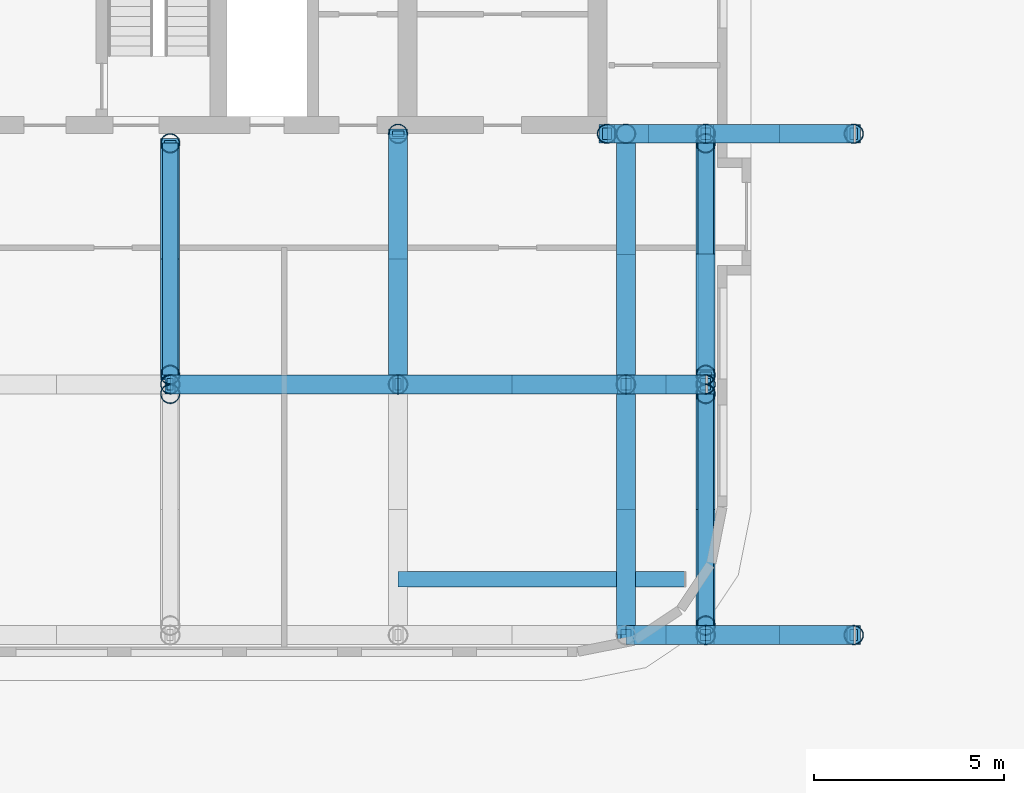
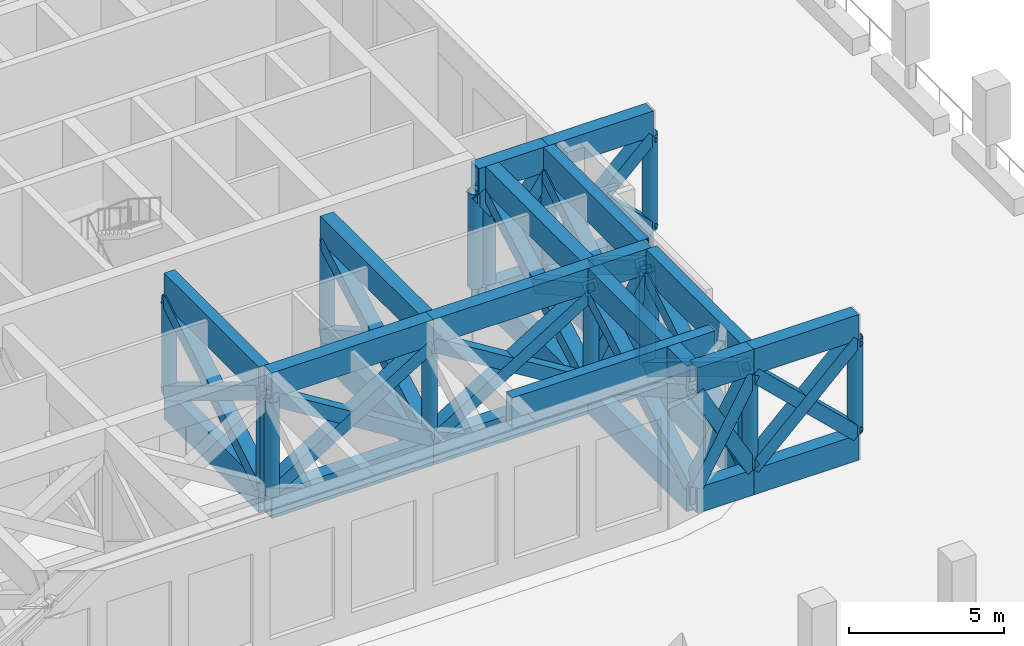
# One storey, part 3 of 20: 44 members, 27 beams.
"""IFC4 building model written with IfcOpenShell, lengths in metres."""

import ifcopenshell
import ifcopenshell.guid

model = None  # the IFC model being written
_history = None  # IfcOwnerHistory: only IFC2X3 demands one
_inside = {}  # id of a spatial element -> (the spatial element, [elements in it])
_under = {}  # id of a project, library or spatial element -> (it, [spatial elements below it])
_declared = {}  # id of a project -> (the project, [libraries it declares])
_typed = {}  # id of a type object -> (the type object, [elements of that type])
_made_of = {}  # id of a material, layer set ... -> (it, [elements and type objects made of it])


def new_model(schema):
    """Start an empty IFC model of exactly this schema.

    Asked for "IFC4X3", IfcOpenShell would pick the latest addendum, in which some entities
    have other attributes; the version numbers below select the first issue.
    IFC2X3 requires an IfcOwnerHistory on every rooted entity: one is made here for all.
    """
    global model, _history
    if schema == "IFC4X3":
        model = ifcopenshell.file(schema_version=(4, 3, 0, 0))
    else:
        model = ifcopenshell.file(schema=schema)
    _inside.clear()
    _under.clear()
    _declared.clear()
    _typed.clear()
    _made_of.clear()
    _history = None
    if model.schema == "IFC2X3":
        org = make("IfcOrganization", Name="unknown")
        user = make(
            "IfcPersonAndOrganization",
            ThePerson=make("IfcPerson", FamilyName="unknown"),
            TheOrganization=org,
        )
        app = make(
            "IfcApplication",
            ApplicationDeveloper=org,
            Version="unknown",
            ApplicationFullName="unknown",
            ApplicationIdentifier="unknown",
        )
        _history = make(
            "IfcOwnerHistory",
            OwningUser=user,
            OwningApplication=app,
            ChangeAction="ADDED",
            CreationDate=0,
        )
    return model


def make(cls, **values):
    """One entity of the class cls with the attributes given. An attribute that is None is left unset."""
    return model.create_entity(
        cls, **{name: value for name, value in values.items() if value is not None}
    )


def rooted(cls, **values):
    """An entity with a GlobalId (a new one), such as an element, a storey or a relation."""
    return make(cls, GlobalId=ifcopenshell.guid.new(), OwnerHistory=_history, **values)


def si_unit(unit_type, name, prefix=None):
    """IfcSIUnit, for example si_unit("LENGTHUNIT", "METRE", prefix="MILLI")."""
    return make("IfcSIUnit", UnitType=unit_type, Prefix=prefix, Name=name)


def assignment(units):
    """IfcUnitAssignment: the units of a project."""
    return None if units is None else make("IfcUnitAssignment", Units=units)


def point(xyz):
    """IfcCartesianPoint."""
    return None if xyz is None else make("IfcCartesianPoint", Coordinates=xyz)


def direction(xyz):
    """IfcDirection."""
    return None if xyz is None else make("IfcDirection", DirectionRatios=xyz)


def frame(location, z_axis=None, x_axis=None):
    """IfcAxis2Placement3D, a coordinate frame: its origin and axes. An axis left out is left unset."""
    return make(
        "IfcAxis2Placement3D",
        Location=point(location),
        Axis=direction(z_axis),
        RefDirection=direction(x_axis),
    )


def frame_2d(location, x_axis=None):
    """IfcAxis2Placement2D, a coordinate frame in the plane: its origin and x axis."""
    return make(
        "IfcAxis2Placement2D", Location=point(location), RefDirection=direction(x_axis)
    )


def origin():
    """The frame at (0, 0, 0) with its axes left unset."""
    return frame((0.0, 0.0, 0.0))


def origin_2d():
    """The frame at (0, 0) in the plane with its x axis left unset."""
    return frame_2d((0.0, 0.0))


def place(relative_to, where):
    """IfcLocalPlacement: puts the frame where relative to a parent placement (None: the world)."""
    return make(
        "IfcLocalPlacement", PlacementRelTo=relative_to, RelativePlacement=where
    )


def context(
    kind, dimensions, precision=None, world=None, true_north=None, identifier=None
):
    """IfcGeometricRepresentationContext, for example the 3D "Model" context."""
    return make(
        "IfcGeometricRepresentationContext",
        ContextIdentifier=identifier,
        ContextType=kind,
        CoordinateSpaceDimension=dimensions,
        Precision=precision,
        WorldCoordinateSystem=world,
        TrueNorth=true_north,
    )


def subcontext(parent, identifier, kind, view, scale=None):
    """IfcGeometricRepresentationSubContext, for example "Body" below "Model"."""
    return make(
        "IfcGeometricRepresentationSubContext",
        ContextIdentifier=identifier,
        ContextType=kind,
        ParentContext=parent,
        TargetScale=scale,
        TargetView=view,
    )


def project(units=None, contexts=None):
    """IfcProject with its units and contexts."""
    return rooted(
        "IfcProject",
        Name="project",
        RepresentationContexts=contexts,
        UnitsInContext=assignment(units),
    )


def spatial(cls, under=None, at=None, **own):
    """A site, building, storey or space (cls), placed at a placement, below another one or the project."""
    s = rooted(cls, ObjectPlacement=at, **own)
    if under is not None:
        _under.setdefault(under.id(), (under, []))[1].append(s)
    return s


def profile(cls, at=None, kind="AREA", **sizes):
    """A parametric profile (cls). Its sizes go by their IFC names, for example OverallWidth=200.0."""
    return make(cls, ProfileType=kind, Position=at, **sizes)


def hollow_rectangle(**sizes):
    """IfcRectangleHollowProfileDef."""
    return profile("IfcRectangleHollowProfileDef", **sizes)


def hollow_circle(**sizes):
    """IfcCircleHollowProfileDef."""
    return profile("IfcCircleHollowProfileDef", **sizes)


def extrude(swept, where, along, depth):
    """IfcExtrudedAreaSolid: the profile swept, set in the frame where, extruded along a direction by depth."""
    return make(
        "IfcExtrudedAreaSolid",
        SweptArea=swept,
        Position=where,
        ExtrudedDirection=direction(along),
        Depth=depth,
    )


def shape(context_of_items, identifier, shape_type, items):
    """IfcShapeRepresentation: the items that make up one representation, for example the "Body"."""
    return make(
        "IfcShapeRepresentation",
        ContextOfItems=context_of_items,
        RepresentationIdentifier=identifier,
        RepresentationType=shape_type,
        Items=items,
    )


def material(Name=None, Category=None):
    """IfcMaterial."""
    return make("IfcMaterial", Name=Name, Category=Category)


def material_profile(
    of_material, cross_section, Name=None, Category=None, Priority=None
):
    """IfcMaterialProfile: a cross section and its material."""
    return make(
        "IfcMaterialProfile",
        Name=Name,
        Material=of_material,
        Profile=cross_section,
        Priority=Priority,
        Category=Category,
    )


def profile_set(profiles, Name=None, composite=None):
    """IfcMaterialProfileSet."""
    return make(
        "IfcMaterialProfileSet",
        Name=Name,
        MaterialProfiles=profiles,
        CompositeProfile=composite,
    )


def made_of(thing, what):
    """Note that an element or type object is made of a material, layer set ...; save() writes the relation."""
    if what is not None:
        _made_of.setdefault(what.id(), (what, []))[1].append(thing)
    return thing


def type_object(cls, material=None, **own):
    """A type object (cls), such as IfcWallType, which elements share."""
    return made_of(rooted(cls, **own), material)


def element(
    cls,
    number,
    at=None,
    inside=None,
    cuts=None,
    type_object=None,
    material=None,
    context=None,
    identifier="Body",
    shape_type=None,
    held_by="IfcProductDefinitionShape",
    body=None,
    shapes=None,
    **own,
):
    """One element of the class cls, such as IfcWall. Its Tag is "e" and its number.

    at: its placement. inside: the storey or other place that contains it. cuts: it is an
    opening in that element (IfcRelVoidsElement). A single representation is given by context,
    identifier, shape_type and body (its items); several are given by shapes. held_by: the class
    of the entity that holds the representations. save() writes the other relations.
    """
    e = rooted(cls, Tag="e%d" % number, ObjectPlacement=at, **own)
    if body is not None:
        shapes = [shape(context, identifier, shape_type, body)]
    if shapes is not None:
        e.Representation = make(held_by, Representations=shapes)
    if inside is not None:
        _inside.setdefault(inside.id(), (inside, []))[1].append(e)
    if cuts is not None:
        rooted(
            "IfcRelVoidsElement", RelatingBuildingElement=cuts, RelatedOpeningElement=e
        )
    if type_object is not None:
        _typed.setdefault(type_object.id(), (type_object, []))[1].append(e)
    return made_of(e, material)


def aggregate(whole, parts):
    """IfcRelAggregates: a whole, such as a stair, and the parts it consists of."""
    return rooted("IfcRelAggregates", RelatingObject=whole, RelatedObjects=parts)


def save(model, path):
    """Write the relations noted so far, then the file.

    IfcRelAggregates (storeys below a building ...), IfcRelContainedInSpatialStructure (elements
    in a storey), IfcRelDefinesByType, IfcRelAssociatesMaterial and IfcRelDeclares: one each for
    every whole, place, type object, material and project.
    """
    for whole, parts in _under.values():
        aggregate(whole, parts)
    for where, things in _inside.values():
        rooted(
            "IfcRelContainedInSpatialStructure",
            RelatedElements=things,
            RelatingStructure=where,
        )
    for kind, things in _typed.values():
        rooted("IfcRelDefinesByType", RelatedObjects=things, RelatingType=kind)
    for what, things in _made_of.values():
        rooted("IfcRelAssociatesMaterial", RelatedObjects=things, RelatingMaterial=what)
    for by, libraries in _declared.values():
        rooted("IfcRelDeclares", RelatingContext=by, RelatedDefinitions=libraries)
    model.write(path)


model = new_model("IFC4")

# Units and contexts
model_context = context("Model", 3, precision=1e-05, world=origin(), true_north=direction((0.0, 1.0)))
body_context = subcontext(model_context, "Body", "Model", "MODEL_VIEW")
ifc_project = project(units=[si_unit("LENGTHUNIT", "METRE"), si_unit("AREAUNIT", "SQUARE_METRE"), si_unit("VOLUMEUNIT", "CUBIC_METRE"), si_unit("PLANEANGLEUNIT", "RADIAN"), si_unit("MASSUNIT", "GRAM", prefix="KILO")], contexts=[model_context])

# Site, building, storey
site_placement = place(None, origin())
site = spatial("IfcSite", under=ifc_project, at=site_placement, CompositionType="ELEMENT")
building_placement = place(site_placement, origin())
building = spatial("IfcBuilding", under=site, at=building_placement, Name="Torana Hotel and Residences", CompositionType="ELEMENT")
storey_placement = place(building_placement, frame((0.0, 0.0, 18.0)))
storey = spatial("IfcBuildingStorey", under=building, at=storey_placement, Name="L03", CompositionType="ELEMENT", Elevation=18.0)

# Beams
ifc_material_1 = material(Name="Steel S355", Category="steel")
ifc_material_profile_1 = material_profile(ifc_material_1, hollow_rectangle(XDim=0.5, YDim=1.0, WallThickness=0.050048828125, at=origin_2d()), Name="BOX 1000x500x50")
ifc_profile_set_1 = profile_set([ifc_material_profile_1], Name="Steel S355")
beam_type_1 = type_object("IfcBeamType", Name="STEEL CHORD BOX 1000x500x50", PredefinedType="BEAM", material=ifc_profile_set_1)
for number, where, z_axis, x_axis, name in (
    (1, (30.0, -28.199951171875, 0.5), (1.0, 0.0, 0.0), (0.0, 1.0, 0.0), "Transfer chord L03"),
    (2, (30.0, -28.199951171875, 5.219970703125), (1.0, 0.0, 0.0), (0.0, 1.0, 0.0), "Transfer chord L03"),
):
    element("IfcBeam", number, at=place(storey_placement, frame(where, z_axis=z_axis, x_axis=x_axis)), inside=storey, type_object=beam_type_1, Name=name, PredefinedType="BEAM", context=body_context, shape_type="SweptSolid", body=[
        extrude(hollow_rectangle(XDim=0.5, YDim=1.0, WallThickness=0.050048828125, at=origin_2d()), origin(), (0.0, 0.0, 1.0), 2.10009765625),
    ])
for number, where, z_axis, x_axis, name in (
    (3, (32.10009765625, -28.199951171875, 0.5), (1.0, 0.0, 0.0), (0.0, 1.0, 0.0), "Transfer chord L03"),
    (4, (32.10009765625, -28.199951171875, 5.219970703125), (1.0, 0.0, 0.0), (0.0, 1.0, 0.0), "Transfer chord L03"),
):
    element("IfcBeam", number, at=place(storey_placement, frame(where, z_axis=z_axis, x_axis=x_axis)), inside=storey, type_object=beam_type_1, Name=name, PredefinedType="BEAM", context=body_context, shape_type="SweptSolid", body=[
        extrude(hollow_rectangle(XDim=0.5, YDim=1.0, WallThickness=0.050048828125, at=origin_2d()), origin(), (0.0, 0.0, 1.0), 3.89990234375),
    ])
for number, where, z_axis, x_axis, name in (
    (5, (18.0, -21.60009765625, 0.5), (1.0, 0.0, 0.0), (0.0, 1.0, 0.0), "Transfer chord L03"),
    (6, (18.0, -21.60009765625, 5.219970703125), (1.0, 0.0, 0.0), (0.0, 1.0, 0.0), "Transfer chord L03"),
    (7, (24.0, -21.60009765625, 0.5), (1.0, 0.0, 0.0), (0.0, 1.0, 0.0), "Transfer chord L03"),
    (8, (24.0, -21.60009765625, 5.219970703125), (1.0, 0.0, 0.0), (0.0, 1.0, 0.0), "Transfer chord L03"),
):
    element("IfcBeam", number, at=place(storey_placement, frame(where, z_axis=z_axis, x_axis=x_axis)), inside=storey, type_object=beam_type_1, Name=name, PredefinedType="BEAM", context=body_context, shape_type="SweptSolid", body=[
        extrude(hollow_rectangle(XDim=0.5, YDim=1.0, WallThickness=0.050048828125, at=origin_2d()), origin(), (0.0, 0.0, 1.0), 6.0),
    ])
for number, where, z_axis, x_axis, name in (
    (9, (30.0, -21.60009765625, 0.5), (1.0, 0.0, 0.0), (0.0, 1.0, 0.0), "Transfer chord L03"),
    (10, (30.0, -21.60009765625, 5.219970703125), (1.0, 0.0, 0.0), (0.0, 1.0, 0.0), "Transfer chord L03"),
):
    element("IfcBeam", number, at=place(storey_placement, frame(where, z_axis=z_axis, x_axis=x_axis)), inside=storey, type_object=beam_type_1, Name=name, PredefinedType="BEAM", context=body_context, shape_type="SweptSolid", body=[
        extrude(hollow_rectangle(XDim=0.5, YDim=1.0, WallThickness=0.050048828125, at=origin_2d()), origin(), (0.0, 0.0, 1.0), 2.10009765625),
    ])
for number, where, z_axis, x_axis, name in (
    (11, (29.5, -15.0, 0.5), (1.0, 0.0, 0.0), (0.0, 1.0, 0.0), "Transfer chord L03"),
    (12, (29.5, -15.0, 5.219970703125), (1.0, 0.0, 0.0), (0.0, 1.0, 0.0), "Transfer chord L03"),
):
    element("IfcBeam", number, at=place(storey_placement, frame(where, z_axis=z_axis, x_axis=x_axis)), inside=storey, type_object=beam_type_1, Name=name, PredefinedType="BEAM", context=body_context, shape_type="SweptSolid", body=[
        extrude(hollow_rectangle(XDim=0.5, YDim=1.0, WallThickness=0.050048828125, at=origin_2d()), origin(), (0.0, 0.0, 1.0), 2.60009765625),
    ])
for number, where, z_axis, x_axis, name in (
    (13, (32.10009765625, -15.0, 0.5), (1.0, 0.0, 0.0), (0.0, 1.0, 0.0), "Transfer chord L03"),
    (14, (32.10009765625, -15.0, 5.219970703125), (1.0, 0.0, 0.0), (0.0, 1.0, 0.0), "Transfer chord L03"),
):
    element("IfcBeam", number, at=place(storey_placement, frame(where, z_axis=z_axis, x_axis=x_axis)), inside=storey, type_object=beam_type_1, Name=name, PredefinedType="BEAM", context=body_context, shape_type="SweptSolid", body=[
        extrude(hollow_rectangle(XDim=0.5, YDim=1.0, WallThickness=0.050048828125, at=origin_2d()), origin(), (0.0, 0.0, 1.0), 3.89990234375),
    ])
for number, where, z_axis, x_axis, name in (
    (15, (24.0, -21.60009765625, 0.5), (0.0, 1.0, 0.0), (-1.0, 0.0, 0.0), "Transfer chord L03"),
    (16, (24.0, -21.60009765625, 5.219970703125), (0.0, 1.0, 0.0), (-1.0, 0.0, 0.0), "Transfer chord L03"),
):
    element("IfcBeam", number, at=place(storey_placement, frame(where, z_axis=z_axis, x_axis=x_axis)), inside=storey, type_object=beam_type_1, Name=name, PredefinedType="BEAM", context=body_context, shape_type="SweptSolid", body=[
        extrude(hollow_rectangle(XDim=0.5, YDim=1.0, WallThickness=0.050048828125, at=origin_2d()), origin(), (0.0, 0.0, 1.0), 6.60009765625),
    ])
for number, where, z_axis, x_axis, name in (
    (17, (30.0, -28.199951171875, 0.5), (0.0, 1.0, 0.0), (-1.0, 0.0, 0.0), "Transfer chord L03"),
    (18, (30.0, -28.199951171875, 5.219970703125), (0.0, 1.0, 0.0), (-1.0, 0.0, 0.0), "Transfer chord L03"),
):
    element("IfcBeam", number, at=place(storey_placement, frame(where, z_axis=z_axis, x_axis=x_axis)), inside=storey, type_object=beam_type_1, Name=name, PredefinedType="BEAM", context=body_context, shape_type="SweptSolid", body=[
        extrude(hollow_rectangle(XDim=0.5, YDim=1.0, WallThickness=0.050048828125, at=origin_2d()), origin(), (0.0, 0.0, 1.0), 6.599853515625),
    ])
for number, where, z_axis, x_axis, name in (
    (19, (30.0, -21.60009765625, 0.5), (0.0, 1.0, 0.0), (-1.0, 0.0, 0.0), "Transfer chord L03"),
    (20, (30.0, -21.60009765625, 5.219970703125), (0.0, 1.0, 0.0), (-1.0, 0.0, 0.0), "Transfer chord L03"),
):
    element("IfcBeam", number, at=place(storey_placement, frame(where, z_axis=z_axis, x_axis=x_axis)), inside=storey, type_object=beam_type_1, Name=name, PredefinedType="BEAM", context=body_context, shape_type="SweptSolid", body=[
        extrude(hollow_rectangle(XDim=0.5, YDim=1.0, WallThickness=0.050048828125, at=origin_2d()), origin(), (0.0, 0.0, 1.0), 6.60009765625),
    ])
ifc_material_2 = material(Name="Steel S355", Category="steel")
ifc_material_profile_2 = material_profile(ifc_material_2, hollow_rectangle(XDim=0.39990234375, YDim=1.199951171875, WallThickness=0.0400390625, at=origin_2d()), Name="BOX 1200x400x40")
ifc_profile_set_2 = profile_set([ifc_material_profile_2], Name="Steel S355")
beam_type_2 = type_object("IfcBeamType", Name="STEEL CHORD BOX 1200x400x40", PredefinedType="BEAM", material=ifc_profile_set_2)
for number, where, z_axis, x_axis, name in (
    (21, (18.0, -21.35009765625, 0.60009765625), (0.0, 1.0, 0.0), (-1.0, 0.0, 0.0), "Transfer chord L03"),
    (22, (18.0, -21.35009765625, 5.1201171875), (0.0, 1.0, 0.0), (-1.0, 0.0, 0.0), "Transfer chord L03"),
):
    element("IfcBeam", number, at=place(storey_placement, frame(where, z_axis=z_axis, x_axis=x_axis)), inside=storey, type_object=beam_type_2, Name=name, PredefinedType="BEAM", context=body_context, shape_type="SweptSolid", body=[
        extrude(hollow_rectangle(XDim=0.39990234375, YDim=1.199951171875, WallThickness=0.0400390625, at=origin_2d()), origin(), (0.0, 0.0, 1.0), 6.10009765625),
    ])
for number, where, z_axis, x_axis, name in (
    (23, (32.10009765625, -27.949951171875, 0.60009765625), (0.0, 1.0, 0.0), (-1.0, 0.0, 0.0), "Transfer chord L03"),
    (24, (32.10009765625, -27.949951171875, 5.1201171875), (0.0, 1.0, 0.0), (-1.0, 0.0, 0.0), "Transfer chord L03"),
):
    element("IfcBeam", number, at=place(storey_placement, frame(where, z_axis=z_axis, x_axis=x_axis)), inside=storey, type_object=beam_type_2, Name=name, PredefinedType="BEAM", context=body_context, shape_type="SweptSolid", body=[
        extrude(hollow_rectangle(XDim=0.39990234375, YDim=1.199951171875, WallThickness=0.0400390625, at=origin_2d()), origin(), (0.0, 0.0, 1.0), 6.099853515625),
    ])
for number, where, z_axis, x_axis, name in (
    (25, (32.10009765625, -21.35009765625, 0.60009765625), (0.0, 1.0, 0.0), (-1.0, 0.0, 0.0), "Transfer chord L03"),
    (26, (32.10009765625, -21.35009765625, 5.1201171875), (0.0, 1.0, 0.0), (-1.0, 0.0, 0.0), "Transfer chord L03"),
):
    element("IfcBeam", number, at=place(storey_placement, frame(where, z_axis=z_axis, x_axis=x_axis)), inside=storey, type_object=beam_type_2, Name=name, PredefinedType="BEAM", context=body_context, shape_type="SweptSolid", body=[
        extrude(hollow_rectangle(XDim=0.39990234375, YDim=1.199951171875, WallThickness=0.0400390625, at=origin_2d()), origin(), (0.0, 0.0, 1.0), 6.10009765625),
    ])
beam_placement = place(storey_placement, frame((31.5400390625, -26.72998046875, 5.1201171875), z_axis=(-1.0, 0.0, 0.0), x_axis=(0.0, -1.0, 0.0)))
element("IfcBeam", 27, at=beam_placement, inside=storey, type_object=beam_type_2, Name="Transfer link L03", PredefinedType="BEAM", context=body_context, shape_type="SweptSolid", body=[
    extrude(hollow_rectangle(XDim=0.39990234375, YDim=1.199951171875, WallThickness=0.0400390625, at=origin_2d()), origin(), (0.0, 0.0, 1.0), 7.5400390625),
])

# Members
ifc_material_3 = material(Name="Steel S355", Category="steel")
ifc_material_profile_3 = material_profile(ifc_material_3, hollow_rectangle(XDim=0.5, YDim=0.5, WallThickness=0.10009765625, at=origin_2d()), Name="BOX 500x500x100")
ifc_profile_set_3 = profile_set([ifc_material_profile_3], Name="Steel S355")
member_type_1 = type_object("IfcMemberType", Name="STEEL DIAGONAL BOX 500x500x100", PredefinedType="BRACE", material=ifc_profile_set_3)
for number, where, z_axis, x_axis, name in (
    (28, (30.0, -28.199951171875, 1.0), (0.491614639726, 0.0, 0.87081286509), (0.0, 1.0, 0.0), "Truss diagonal L03"),
    (29, (32.10009765625, -28.199951171875, 1.0), (-0.491614639726, 0.0, 0.87081286509), (0.0, -1.0, 0.0), "Truss diagonal L03"),
):
    element("IfcMember", number, at=place(storey_placement, frame(where, z_axis=z_axis, x_axis=x_axis)), inside=storey, type_object=member_type_1, Name=name, PredefinedType="BRACE", context=body_context, shape_type="SweptSolid", body=[
        extrude(hollow_rectangle(XDim=0.5, YDim=0.5, WallThickness=0.10009765625, at=origin_2d()), origin(), (0.0, 0.0, 1.0), 4.271728515625),
    ])
for number, where, z_axis, x_axis, name in (
    (30, (32.10009765625, -28.199951171875, 1.0), (0.72360231493, 0.0, 0.690217132377), (0.0, 1.0, 0.0), "Truss diagonal L03"),
    (31, (36.0, -28.199951171875, 1.0), (-0.72360231493, 0.0, 0.690217132377), (0.0, -1.0, 0.0), "Truss diagonal L03"),
):
    element("IfcMember", number, at=place(storey_placement, frame(where, z_axis=z_axis, x_axis=x_axis)), inside=storey, type_object=member_type_1, Name=name, PredefinedType="BRACE", context=body_context, shape_type="SweptSolid", body=[
        extrude(hollow_rectangle(XDim=0.5, YDim=0.5, WallThickness=0.10009765625, at=origin_2d()), origin(), (0.0, 0.0, 1.0), 5.3896484375),
    ])
for number, where, z_axis, x_axis, name in (
    (32, (18.0, -21.60009765625, 1.0), (0.84990455024, 0.0, 0.526936671224), (0.0, 1.0, 0.0), "Truss diagonal L03"),
    (33, (24.0, -21.60009765625, 1.0), (-0.84990455024, 0.0, 0.526936671224), (0.0, -1.0, 0.0), "Truss diagonal L03"),
    (34, (24.0, -21.60009765625, 1.0), (0.84990455024, 0.0, 0.526936671224), (0.0, 1.0, 0.0), "Truss diagonal L03"),
    (35, (30.0, -21.60009765625, 1.0), (-0.84990455024, 0.0, 0.526936671224), (0.0, -1.0, 0.0), "Truss diagonal L03"),
):
    element("IfcMember", number, at=place(storey_placement, frame(where, z_axis=z_axis, x_axis=x_axis)), inside=storey, type_object=member_type_1, Name=name, PredefinedType="BRACE", context=body_context, shape_type="SweptSolid", body=[
        extrude(hollow_rectangle(XDim=0.5, YDim=0.5, WallThickness=0.10009765625, at=origin_2d()), origin(), (0.0, 0.0, 1.0), 7.0595703125),
    ])
for number, where, z_axis, x_axis, name in (
    (36, (30.0, -21.60009765625, 1.0), (0.491614639726, 0.0, 0.87081286509), (0.0, 1.0, 0.0), "Truss diagonal L03"),
    (37, (32.10009765625, -21.60009765625, 1.0), (-0.491614639726, 0.0, 0.87081286509), (0.0, -1.0, 0.0), "Truss diagonal L03"),
):
    element("IfcMember", number, at=place(storey_placement, frame(where, z_axis=z_axis, x_axis=x_axis)), inside=storey, type_object=member_type_1, Name=name, PredefinedType="BRACE", context=body_context, shape_type="SweptSolid", body=[
        extrude(hollow_rectangle(XDim=0.5, YDim=0.5, WallThickness=0.10009765625, at=origin_2d()), origin(), (0.0, 0.0, 1.0), 4.271728515625),
    ])
member_1_placement = place(storey_placement, frame((30.800048828125, -15.0, 2.860107421875), z_axis=(0.572913437665, 0.0, 0.819615881339), x_axis=(0.0, 1.0, 0.0)))
element("IfcMember", 38, at=member_1_placement, inside=storey, type_object=member_type_1, Name="Truss diagonal L03", PredefinedType="BRACE", context=body_context, shape_type="SweptSolid", body=[
    extrude(hollow_rectangle(XDim=0.5, YDim=0.5, WallThickness=0.10009765625, at=origin_2d()), origin(), (0.0, 0.0, 1.0), 2.269287109375),
])
member_2_placement = place(storey_placement, frame((32.10009765625, -15.0, 1.0), z_axis=(-0.572888178191, 0.0, 0.819633537192), x_axis=(0.0, -1.0, 0.0)))
element("IfcMember", 39, at=member_2_placement, inside=storey, type_object=member_type_1, Name="Truss diagonal L03", PredefinedType="BRACE", context=body_context, shape_type="SweptSolid", body=[
    extrude(hollow_rectangle(XDim=0.5, YDim=0.5, WallThickness=0.10009765625, at=origin_2d()), origin(), (0.0, 0.0, 1.0), 4.53857421875),
])
for number, where, z_axis, x_axis, name in (
    (40, (32.10009765625, -15.0, 1.0), (0.72360231493, 0.0, 0.690217132377), (0.0, 1.0, 0.0), "Truss diagonal L03"),
    (41, (36.0, -15.0, 1.0), (-0.72360231493, 0.0, 0.690217132377), (0.0, -1.0, 0.0), "Truss diagonal L03"),
):
    element("IfcMember", number, at=place(storey_placement, frame(where, z_axis=z_axis, x_axis=x_axis)), inside=storey, type_object=member_type_1, Name=name, PredefinedType="BRACE", context=body_context, shape_type="SweptSolid", body=[
        extrude(hollow_rectangle(XDim=0.5, YDim=0.5, WallThickness=0.10009765625, at=origin_2d()), origin(), (0.0, 0.0, 1.0), 5.3896484375),
    ])
for number, where, z_axis, x_axis, name in (
    (42, (24.0, -21.60009765625, 1.0), (0.0, 0.871156970886, 0.491004615128), (-1.0, 0.0, 0.0), "Truss diagonal L03"),
    (43, (24.0, -15.0, 1.0), (0.0, -0.871156970886, 0.491004615128), (1.0, 0.0, 0.0), "Truss diagonal L03"),
):
    element("IfcMember", number, at=place(storey_placement, frame(where, z_axis=z_axis, x_axis=x_axis)), inside=storey, type_object=member_type_1, Name=name, PredefinedType="BRACE", context=body_context, shape_type="SweptSolid", body=[
        extrude(hollow_rectangle(XDim=0.5, YDim=0.5, WallThickness=0.10009765625, at=origin_2d()), origin(), (0.0, 0.0, 1.0), 7.576171875),
    ])
for number, where, z_axis, x_axis, name in (
    (44, (30.0, -28.199951171875, 1.0), (0.0, 0.871149201699, 0.491018399226), (-1.0, 0.0, 0.0), "Truss diagonal L03"),
    (45, (30.0, -21.60009765625, 1.0), (0.0, -0.871149201699, 0.491018399226), (1.0, 0.0, 0.0), "Truss diagonal L03"),
):
    element("IfcMember", number, at=place(storey_placement, frame(where, z_axis=z_axis, x_axis=x_axis)), inside=storey, type_object=member_type_1, Name=name, PredefinedType="BRACE", context=body_context, shape_type="SweptSolid", body=[
        extrude(hollow_rectangle(XDim=0.5, YDim=0.5, WallThickness=0.10009765625, at=origin_2d()), origin(), (0.0, 0.0, 1.0), 7.575927734375),
    ])
member_3_placement = place(storey_placement, frame((30.0, -21.60009765625, 1.0), z_axis=(0.0, 0.871156970886, 0.491004615128), x_axis=(-1.0, 0.0, 0.0)))
element("IfcMember", 46, at=member_3_placement, inside=storey, type_object=member_type_1, Name="Truss diagonal L03", PredefinedType="BRACE", context=body_context, shape_type="SweptSolid", body=[
    extrude(hollow_rectangle(XDim=0.5, YDim=0.5, WallThickness=0.10009765625, at=origin_2d()), origin(), (0.0, 0.0, 1.0), 7.576171875),
])
member_4_placement = place(storey_placement, frame((30.0, -18.300048828125, 2.860107421875), z_axis=(0.0, -0.871170754533, 0.490980158913), x_axis=(1.0, 0.0, 0.0)))
element("IfcMember", 47, at=member_4_placement, inside=storey, type_object=member_type_1, Name="Truss diagonal L03", PredefinedType="BRACE", context=body_context, shape_type="SweptSolid", body=[
    extrude(hollow_rectangle(XDim=0.5, YDim=0.5, WallThickness=0.10009765625, at=origin_2d()), origin(), (0.0, 0.0, 1.0), 3.7880859375),
])
for number, where, z_axis, x_axis, name in (
    (48, (18.0, -21.35009765625, 1.0), (0.0, 0.853771354905, 0.520648128339), (-1.0, 0.0, 0.0), "Truss diagonal L03"),
    (49, (18.0, -15.25, 1.0), (0.0, -0.853771354905, 0.520648128339), (1.0, 0.0, 0.0), "Truss diagonal L03"),
    (50, (32.10009765625, -27.949951171875, 1.0), (0.0, 0.853762091888, 0.520663317755), (-1.0, 0.0, 0.0), "Truss diagonal L03"),
    (51, (32.10009765625, -21.85009765625, 1.0), (0.0, -0.853762091888, 0.520663317755), (1.0, 0.0, 0.0), "Truss diagonal L03"),
    (52, (32.10009765625, -21.35009765625, 1.0), (0.0, 0.853771354905, 0.520648128339), (-1.0, 0.0, 0.0), "Truss diagonal L03"),
):
    element("IfcMember", number, at=place(storey_placement, frame(where, z_axis=z_axis, x_axis=x_axis)), inside=storey, type_object=member_type_1, Name=name, PredefinedType="BRACE", context=body_context, shape_type="SweptSolid", body=[
        extrude(hollow_rectangle(XDim=0.5, YDim=0.5, WallThickness=0.10009765625, at=origin_2d()), origin(), (0.0, 0.0, 1.0), 7.144775390625),
    ])
member_5_placement = place(storey_placement, frame((32.10009765625, -18.300048828125, 2.860107421875), z_axis=(0.0, -0.853786543866, 0.520623220297), x_axis=(1.0, 0.0, 0.0)))
element("IfcMember", 53, at=member_5_placement, inside=storey, type_object=member_type_1, Name="Truss diagonal L03", PredefinedType="BRACE", context=body_context, shape_type="SweptSolid", body=[
    extrude(hollow_rectangle(XDim=0.5, YDim=0.5, WallThickness=0.10009765625, at=origin_2d()), origin(), (0.0, 0.0, 1.0), 3.572265625),
])
ifc_material_4 = material(Name="Steel S355", Category="steel")
ifc_material_profile_4 = material_profile(ifc_material_4, hollow_circle(Radius=0.25390625, WallThickness=0.01611328125, at=origin_2d()), Name="508x16 CHS")
ifc_profile_set_4 = profile_set([ifc_material_profile_4], Name="Steel S355")
member_type_2 = type_object("IfcMemberType", Name="STEEL POST 508x16 CHS", PredefinedType="POST", material=ifc_profile_set_4)
for number, where, z_axis, x_axis, name in (
    (54, (32.10009765625, -28.199951171875, 1.0), (0.0, 0.0, 1.0), (1.0, 0.0, 0.0), "Truss post L03"),
    (55, (36.0, -28.199951171875, 1.0), (0.0, 0.0, 1.0), (1.0, 0.0, 0.0), "Truss post L03"),
    (56, (18.0, -21.60009765625, 1.0), (0.0, 0.0, 1.0), (1.0, 0.0, 0.0), "Truss post L03"),
    (57, (24.0, -21.60009765625, 1.0), (0.0, 0.0, 1.0), (1.0, 0.0, 0.0), "Truss post L03"),
    (58, (30.0, -21.60009765625, 1.0), (0.0, 0.0, 1.0), (1.0, 0.0, 0.0), "Truss post L03"),
    (59, (32.10009765625, -21.60009765625, 1.0), (0.0, 0.0, 1.0), (1.0, 0.0, 0.0), "Truss post L03"),
    (60, (29.5, -15.0, 1.0), (0.0, 0.0, 1.0), (1.0, 0.0, 0.0), "Truss post L03"),
    (61, (32.10009765625, -15.0, 1.0), (0.0, 0.0, 1.0), (1.0, 0.0, 0.0), "Truss post L03"),
    (62, (36.0, -15.0, 1.0), (0.0, 0.0, 1.0), (1.0, 0.0, 0.0), "Truss post L03"),
    (63, (24.0, -15.0, 1.0), (0.0, 0.0, 1.0), (1.0, 0.0, 0.0), "Truss post L03"),
    (64, (30.0, -15.0, 1.0), (0.0, 0.0, 1.0), (1.0, 0.0, 0.0), "Truss post L03"),
    (65, (18.0, -21.85009765625, 1.0), (0.0, 0.0, 1.0), (1.0, 0.0, 0.0), "Truss post L03"),
    (66, (18.0, -21.35009765625, 1.0), (0.0, 0.0, 1.0), (1.0, 0.0, 0.0), "Truss post L03"),
    (67, (18.0, -15.25, 1.0), (0.0, 0.0, 1.0), (1.0, 0.0, 0.0), "Truss post L03"),
    (68, (32.10009765625, -27.949951171875, 1.0), (0.0, 0.0, 1.0), (1.0, 0.0, 0.0), "Truss post L03"),
    (69, (32.10009765625, -21.85009765625, 1.0), (0.0, 0.0, 1.0), (1.0, 0.0, 0.0), "Truss post L03"),
    (70, (32.10009765625, -21.35009765625, 1.0), (0.0, 0.0, 1.0), (-1.0, 0.0, 0.0), "Truss post L03"),
    (71, (32.10009765625, -15.25, 1.0), (0.0, 0.0, 1.0), (1.0, 0.0, 0.0), "Truss post L03"),
):
    element("IfcMember", number, at=place(storey_placement, frame(where, z_axis=z_axis, x_axis=x_axis)), inside=storey, type_object=member_type_2, Name=name, PredefinedType="POST", context=body_context, shape_type="SweptSolid", body=[
        extrude(hollow_circle(Radius=0.25390625, WallThickness=0.01611328125, at=origin_2d()), origin(), (0.0, 0.0, 1.0), 3.719970703125),
    ])

save(model, "model.ifc")
